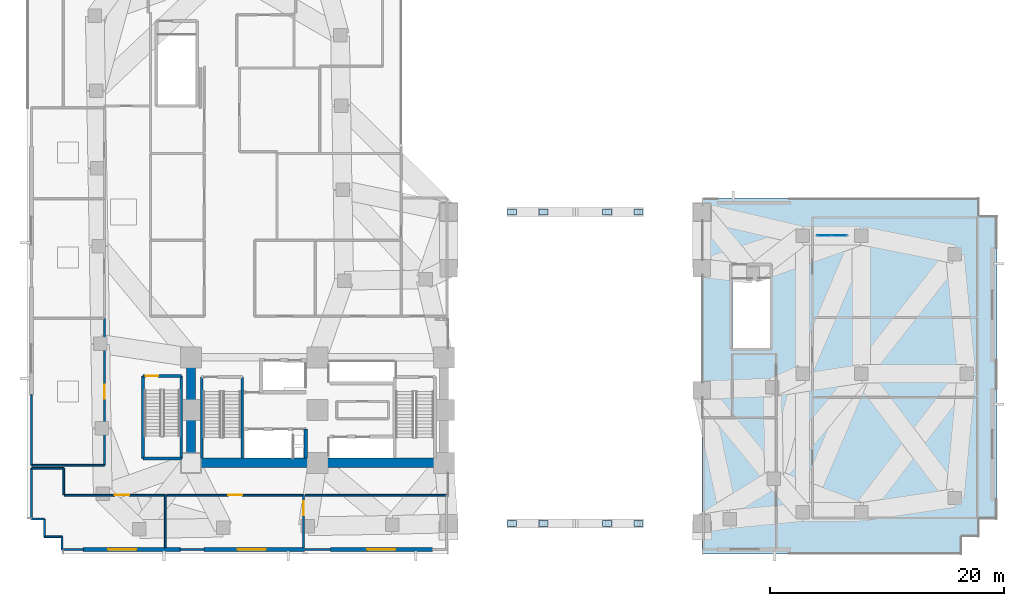
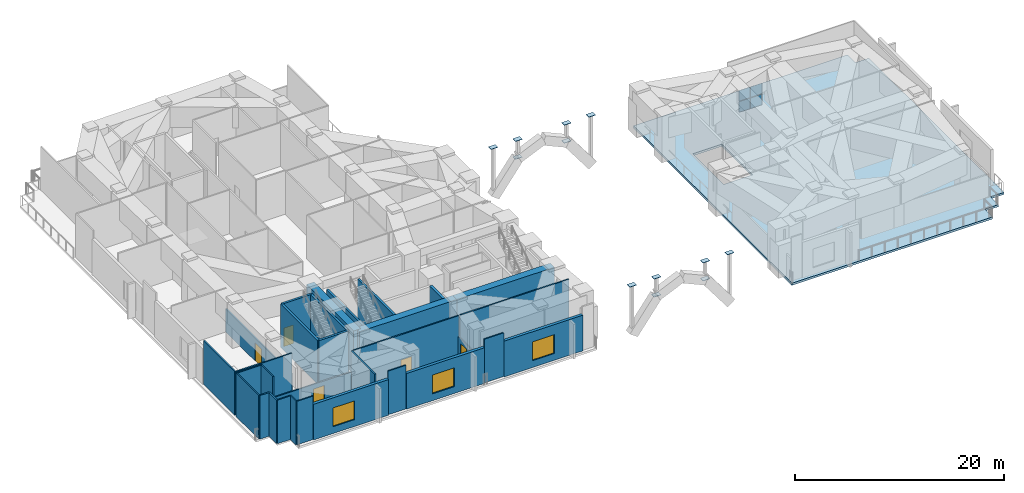
# One storey, part 6 of 15: 31 walls, 16 plates, 5 doors, 3 windows, 1 slab, 8 openings, 1 element without a shape of its own.
"""IFC4 building model written with IfcOpenShell, lengths in metres."""

from ifc_helpers import new_model, si_unit, direction, frame, frame_2d, origin, origin_2d, place, context, subcontext, project, spatial, polyline, rectangle, outline, extrude, material, layer, layer_set, type_object, element, fill, aggregate, save


model = new_model("IFC4")

# Units and contexts
model_context = context("Model", 3, precision=1e-05, world=origin(), true_north=direction((0.0, 1.0)))
body_context = subcontext(model_context, "Body", "Model", "MODEL_VIEW")
ifc_project = project(units=[si_unit("LENGTHUNIT", "METRE"), si_unit("AREAUNIT", "SQUARE_METRE"), si_unit("VOLUMEUNIT", "CUBIC_METRE"), si_unit("PLANEANGLEUNIT", "RADIAN"), si_unit("MASSUNIT", "GRAM", prefix="KILO")], contexts=[model_context])

# Site, building, storey
site_placement = place(None, origin())
site = spatial("IfcSite", under=ifc_project, at=site_placement, CompositionType="ELEMENT")
building_placement = place(site_placement, origin())
building = spatial("IfcBuilding", under=site, at=building_placement, Name="Gaonmaruhae Medical Tower", CompositionType="ELEMENT")
storey_placement = place(building_placement, frame((0.0, 0.0, 21.60009765625)))
storey = spatial("IfcBuildingStorey", under=building, at=storey_placement, Name="L04", CompositionType="ELEMENT", Elevation=21.60009765625)

# Plates
ifc_material_1 = material(Name="Steel HSA650 (650 MPa)", Category="steel")
ifc_layer_1 = layer(ifc_material_1, 0.0400390625)
ifc_layer_set_1 = layer_set([ifc_layer_1], Name="Steel HSA650 (650 MPa)")
plate_type_1 = type_object("IfcPlateType", Name="BP-P1 Column & Arch Base Bearing Plate", PredefinedType="USERDEFINED", material=ifc_layer_set_1)
for number, where, z_axis, x_axis, name in (
    (1, (41.39990234375, 2.6259765625, 3.8798828125), (0.0, 0.0, 1.0), (1.0, 0.0, 0.0), "L04 Gusset Cap Plate PLT-ARCH-S2B"),
    (2, (44.10009765625, 2.6259765625, 1.77978515625), (0.0, 0.0, 1.0), (1.0, 0.0, 0.0), "L04 Gusset Cap Plate PLT-ARCH-S3A"),
    (3, (44.10009765625, 2.6259765625, 3.8798828125), (0.0, 0.0, 1.0), (1.0, 0.0, 0.0), "L04 Gusset Cap Plate PLT-ARCH-S3B"),
    (4, (49.5, 2.6259765625, 1.77978515625), (0.0, 0.0, 1.0), (1.0, 0.0, 0.0), "L04 Gusset Cap Plate PLT-ARCH-S5A"),
    (5, (49.5, 2.6259765625, 3.8798828125), (0.0, 0.0, 1.0), (1.0, 0.0, 0.0), "L04 Gusset Cap Plate PLT-ARCH-S5B"),
    (6, (52.199951171875, 2.6259765625, 3.8798828125), (0.0, 0.0, 1.0), (1.0, 0.0, 0.0), "L04 Gusset Cap Plate PLT-ARCH-S6B"),
    (7, (41.39990234375, 29.199951171875, 3.8798828125), (0.0, 0.0, 1.0), (1.0, 0.0, 0.0), "L04 Gusset Cap Plate PLT-ARCH-N2B"),
    (8, (44.10009765625, 29.199951171875, 1.77978515625), (0.0, 0.0, 1.0), (1.0, 0.0, 0.0), "L04 Gusset Cap Plate PLT-ARCH-N3A"),
    (9, (44.10009765625, 29.199951171875, 3.8798828125), (0.0, 0.0, 1.0), (1.0, 0.0, 0.0), "L04 Gusset Cap Plate PLT-ARCH-N3B"),
    (10, (49.5, 29.199951171875, 1.77978515625), (0.0, 0.0, 1.0), (1.0, 0.0, 0.0), "L04 Gusset Cap Plate PLT-ARCH-N5A"),
    (11, (49.5, 29.199951171875, 3.8798828125), (0.0, 0.0, 1.0), (1.0, 0.0, 0.0), "L04 Gusset Cap Plate PLT-ARCH-N5B"),
    (12, (52.199951171875, 29.199951171875, 3.8798828125), (0.0, 0.0, 1.0), (1.0, 0.0, 0.0), "L04 Gusset Cap Plate PLT-ARCH-N6B"),
):
    element("IfcPlate", number, at=place(storey_placement, frame(where, z_axis=z_axis, x_axis=x_axis)), inside=storey, type_object=plate_type_1, Name=name, ObjectType="BASE_PLATE", PredefinedType="USERDEFINED", context=body_context, shape_type="SweptSolid", body=[
        extrude(rectangle(XDim=0.75, YDim=0.52001953125, at=origin_2d()), origin(), (0.0, 0.0, 1.0), 0.0400390625),
    ])

# Curtain wall, plates
ifc_material_2 = material(Name="Anodised aluminium and Low-E double glazing", Category="aluminium")
curtain_wall_type = type_object("IfcCurtainWallType", Name="CW-S6 Podium Diagnostic Atrium Curtain Wall", PredefinedType="NOTDEFINED", material=ifc_material_2)
curtain_wall_placement = place(storey_placement, origin())
curtain_wall = element("IfcCurtainWall", 13, at=curtain_wall_placement, inside=storey, type_object=curtain_wall_type, Name="L04 Curtain Wall CW-L04-S6A", PredefinedType="NOTDEFINED")
ifc_material_3 = material(Name="Low-E double solar glass", Category="glass")
ifc_layer_2 = layer(ifc_material_3, 0.028076171875)
ifc_layer_set_2 = layer_set([ifc_layer_2], Name="Low-E double solar glass")
plate_type_2 = type_object("IfcPlateType", Name="CWP-V1 Low-E Double Vision Glazing Panel", PredefinedType="CURTAIN_PANEL", material=ifc_layer_set_2)
plate_1_placement = place(storey_placement, frame((68.052734375, 27.199951171875, 0.074951171875), z_axis=(0.0, 0.0, 1.0), x_axis=(1.0, 0.0, 0.0)))
plate_1 = element("IfcPlate", 14, at=plate_1_placement, type_object=plate_type_2, Name="CW-S6 panel 1.1", PredefinedType="CURTAIN_PANEL", context=body_context, shape_type="SweptSolid", body=[
    extrude(rectangle(XDim=1.229248046875, YDim=0.028076171875, at=origin_2d()), origin(), (0.0, 0.0, 1.0), 1.22998046875),
])
plate_2_placement = place(storey_placement, frame((68.052734375, 27.199951171875, 1.3798828125), z_axis=(0.0, 0.0, 1.0), x_axis=(1.0, 0.0, 0.0)))
plate_2 = element("IfcPlate", 15, at=plate_2_placement, type_object=plate_type_2, Name="CW-S6 panel 1.2", PredefinedType="CURTAIN_PANEL", context=body_context, shape_type="SweptSolid", body=[
    extrude(rectangle(XDim=1.229248046875, YDim=0.028076171875, at=origin_2d()), origin(), (0.0, 0.0, 1.0), 1.22998046875),
])
plate_3_placement = place(storey_placement, frame((69.34716796875, 27.199951171875, 0.074951171875), z_axis=(0.0, 0.0, 1.0), x_axis=(1.0, 0.0, 0.0)))
plate_3 = element("IfcPlate", 16, at=plate_3_placement, type_object=plate_type_2, Name="CW-S6 panel 2.1", PredefinedType="CURTAIN_PANEL", context=body_context, shape_type="SweptSolid", body=[
    extrude(rectangle(XDim=1.229248046875, YDim=0.028076171875, at=origin_2d()), origin(), (0.0, 0.0, 1.0), 1.22998046875),
])
plate_4_placement = place(storey_placement, frame((69.34716796875, 27.199951171875, 1.3798828125), z_axis=(0.0, 0.0, 1.0), x_axis=(1.0, 0.0, 0.0)))
plate_4 = element("IfcPlate", 17, at=plate_4_placement, type_object=plate_type_2, Name="CW-S6 panel 2.2", PredefinedType="CURTAIN_PANEL", context=body_context, shape_type="SweptSolid", body=[
    extrude(rectangle(XDim=1.229248046875, YDim=0.028076171875, at=origin_2d()), origin(), (0.0, 0.0, 1.0), 1.22998046875),
])
aggregate(curtain_wall, [plate_1, plate_2, plate_3, plate_4])

# Slab
ifc_material_4 = material(Name="Concrete C40/50", Category="concrete")
ifc_layer_3 = layer(ifc_material_4, 0.25)
ifc_layer_set_3 = layer_set([ifc_layer_3], Name="Concrete C40/50")
slab_type = type_object("IfcSlabType", Name="FS-250 Podium & Basement Floor Slab", PredefinedType="FLOOR", material=ifc_layer_set_3)
slab_placement = place(storey_placement, frame((0.0, 0.0, -0.25)))
element("IfcSlab", 18, at=slab_placement, inside=storey, type_object=slab_type, Name="L04 Structural Slab 2", PredefinedType="FLOOR", context=body_context, shape_type="SweptSolid", body=[
    extrude(outline(polyline([(81.300048828125, 30.39990234375), (81.300048828125, 28.89990234375), (82.800048828125, 28.89990234375), (82.800048828125, 3.0), (81.300048828125, 3.0), (81.300048828125, 1.5), (79.800048828125, 1.5), (79.800048828125, 0.0), (57.60009765625, 0.0), (57.60009765625, 30.39990234375), (81.300048828125, 30.39990234375)]), holes=[polyline([(63.39990234375, 23.489990234375), (63.39990234375, 17.60009765625), (60.199951171875, 17.60009765625), (60.199951171875, 23.489990234375), (63.39990234375, 23.489990234375)])]), origin(), (0.0, 0.0, 1.0), 0.25),
])

# Walls
ifc_material_5 = material(Name="Concrete C60/75", Category="concrete")
ifc_layer_4 = layer(ifc_material_5, 0.800048828125)
ifc_layer_set_4 = layer_set([ifc_layer_4], Name="Concrete C60/75")
wall_type_1 = type_object("IfcWallType", Name="CW-800 Lower Core Shear Wall", PredefinedType="SHEAR", material=ifc_layer_set_4)
for number, where, z_axis, x_axis, name in (
    (19, (14.0, 7.800048828125, 0.0), (0.0, 0.0, 1.0), (1.0, 0.0, 0.0), "L04 Core Shear Wall CSW-S1"),
    (20, (24.800048828125, 7.800048828125, 0.0), (0.0, 0.0, 1.0), (1.0, 0.0, 0.0), "L04 Core Shear Wall CSW-S2"),
):
    element("IfcWall", number, at=place(storey_placement, frame(where, z_axis=z_axis, x_axis=x_axis)), inside=storey, type_object=wall_type_1, Name=name, PredefinedType="SHEAR", context=body_context, shape_type="SweptSolid", body=[
        extrude(rectangle(XDim=10.800048828125, YDim=0.800048828125, at=frame_2d((5.39990234375, 0.0))), origin(), (0.0, 0.0, 1.0), 5.099853515625),
    ])
wall_1_placement = place(storey_placement, frame((14.0, 16.800048828125, 0.0), z_axis=(0.0, 0.0, 1.0), x_axis=(0.0, -1.0, 0.0)))
element("IfcWall", 21, at=wall_1_placement, inside=storey, type_object=wall_type_1, Name="L04 Core Shear Wall CSW-W1", PredefinedType="SHEAR", context=body_context, shape_type="SweptSolid", body=[
    extrude(rectangle(XDim=9.0, YDim=0.800048828125, at=frame_2d((4.5, 0.0))), origin(), (0.0, 0.0, 1.0), 5.099853515625),
])

# Wall, opening, window
ifc_material_6 = material(Name="Precast concrete C45/55", Category="concrete")
ifc_layer_5 = layer(ifc_material_6, 0.320068359375)
ifc_layer_set_5 = layer_set([ifc_layer_5], Name="Precast concrete C45/55")
wall_type_2 = type_object("IfcWallType", Name="EW-320 Lower Precast Masonry-Frame Facade Wall", PredefinedType="SOLIDWALL", material=ifc_layer_set_5)
wall_2_placement = place(storey_placement, frame((13.10009765625, 0.39990234375, 0.0), z_axis=(0.0, 0.0, 1.0), x_axis=(-1.0, 0.0, 0.0)))
wall_2 = element("IfcWall", 22, at=wall_2_placement, inside=storey, type_object=wall_type_2, Name="L04 Precast Facade Wall PB-S1", PredefinedType="SOLIDWALL", context=body_context, shape_type="SweptSolid", body=[
    extrude(rectangle(XDim=8.300048828125, YDim=0.320068359375, at=frame_2d((4.14990234375, 0.0))), origin(), (0.0, 0.0, 1.0), 4.179931640625),
])
opening_1_placement = place(wall_2_placement, frame((3.764892578125, 0.0, 0.800048828125)))
opening_1 = element("IfcOpeningElement", 23, at=opening_1_placement, cuts=wall_2, Name="Opening WN-06", PredefinedType="OPENING", context=body_context, shape_type="SweptSolid", body=[
    extrude(rectangle(XDim=2.39990234375, YDim=2.199951171875, at=frame_2d((1.199951171875, 1.10009765625))), frame((0.0, 0.169921875, 0.0), z_axis=(0.0, -1.0, 0.0), x_axis=(1.0, 0.0, 0.0)), (0.0, 0.0, 1.0), 0.340087890625),
])
window_type = type_object("IfcWindowType", Name="WN-06 Podium Diagnostic Punched Window 2400x2200", PartitioningType="SINGLE_PANEL", PredefinedType="WINDOW", material=ifc_material_2)
window_1_placement = place(opening_1_placement, origin())
window_1 = element("IfcWindow", 24, at=window_1_placement, inside=storey, type_object=window_type, Name="L04 Podium Punched Window PB-S1", OverallHeight=2.199951171875, OverallWidth=2.39990234375, PartitioningType="SINGLE_PANEL", PredefinedType="WINDOW", context=body_context, shape_type="SweptSolid", body=[
    extrude(rectangle(XDim=2.39990234375, YDim=2.199951171875, at=frame_2d((1.199951171875, 1.10009765625))), frame((0.0, 0.030029296875, 0.0), z_axis=(0.0, -1.0, 0.0), x_axis=(1.0, 0.0, 0.0)), (0.0, 0.0, 1.0), 0.06005859375),
])
fill(opening_1, window_1)

wall_3_placement = place(storey_placement, frame((23.699951171875, 0.39990234375, 0.0), z_axis=(0.0, 0.0, 1.0), x_axis=(-1.0, 0.0, 0.0)))
wall_3 = element("IfcWall", 25, at=wall_3_placement, inside=storey, type_object=wall_type_2, Name="L04 Precast Facade Wall PB-S2", PredefinedType="SOLIDWALL", context=body_context, shape_type="SweptSolid", body=[
    extrude(rectangle(XDim=8.599853515625, YDim=0.320068359375, at=frame_2d((4.2998046875, 0.0))), origin(), (0.0, 0.0, 1.0), 4.179931640625),
])
opening_2_placement = place(wall_3_placement, frame((3.31494140625, 0.0, 0.800048828125)))
opening_2 = element("IfcOpeningElement", 26, at=opening_2_placement, cuts=wall_3, Name="Opening WN-06", PredefinedType="OPENING", context=body_context, shape_type="SweptSolid", body=[
    extrude(rectangle(XDim=2.39990234375, YDim=2.199951171875, at=frame_2d((1.199951171875, 1.10009765625))), frame((0.0, 0.169921875, 0.0), z_axis=(0.0, -1.0, 0.0), x_axis=(1.0, 0.0, 0.0)), (0.0, 0.0, 1.0), 0.340087890625),
])
window_2_placement = place(opening_2_placement, origin())
window_2 = element("IfcWindow", 27, at=window_2_placement, inside=storey, type_object=window_type, Name="L04 Podium Punched Window PB-S2", OverallHeight=2.199951171875, OverallWidth=2.39990234375, PartitioningType="SINGLE_PANEL", PredefinedType="WINDOW", context=body_context, shape_type="SweptSolid", body=[
    extrude(rectangle(XDim=2.39990234375, YDim=2.199951171875, at=frame_2d((1.199951171875, 1.10009765625))), frame((0.0, 0.030029296875, 0.0), z_axis=(0.0, -1.0, 0.0), x_axis=(1.0, 0.0, 0.0)), (0.0, 0.0, 1.0), 0.06005859375),
])
fill(opening_2, window_2)

wall_4_placement = place(storey_placement, frame((34.60009765625, 0.39990234375, 0.0), z_axis=(0.0, 0.0, 1.0), x_axis=(-1.0, 0.0, 0.0)))
wall_4 = element("IfcWall", 28, at=wall_4_placement, inside=storey, type_object=wall_type_2, Name="L04 Precast Facade Wall PB-S3", PredefinedType="SOLIDWALL", context=body_context, shape_type="SweptSolid", body=[
    extrude(rectangle(XDim=8.7001953125, YDim=0.320068359375, at=frame_2d((4.35009765625, 0.0))), origin(), (0.0, 0.0, 1.0), 4.179931640625),
])
opening_3_placement = place(wall_4_placement, frame((3.14990234375, 0.0, 0.800048828125)))
opening_3 = element("IfcOpeningElement", 29, at=opening_3_placement, cuts=wall_4, Name="Opening WN-06", PredefinedType="OPENING", context=body_context, shape_type="SweptSolid", body=[
    extrude(rectangle(XDim=2.39990234375, YDim=2.199951171875, at=frame_2d((1.199951171875, 1.10009765625))), frame((0.0, 0.169921875, 0.0), z_axis=(0.0, -1.0, 0.0), x_axis=(1.0, 0.0, 0.0)), (0.0, 0.0, 1.0), 0.340087890625),
])
window_3_placement = place(opening_3_placement, origin())
window_3 = element("IfcWindow", 30, at=window_3_placement, inside=storey, type_object=window_type, Name="L04 Podium Punched Window PB-S3", OverallHeight=2.199951171875, OverallWidth=2.39990234375, PartitioningType="SINGLE_PANEL", PredefinedType="WINDOW", context=body_context, shape_type="SweptSolid", body=[
    extrude(rectangle(XDim=2.39990234375, YDim=2.199951171875, at=frame_2d((1.199951171875, 1.10009765625))), frame((0.0, 0.030029296875, 0.0), z_axis=(0.0, -1.0, 0.0), x_axis=(1.0, 0.0, 0.0)), (0.0, 0.0, 1.0), 0.06005859375),
])
fill(opening_3, window_3)

# Wall, opening, door
ifc_material_7 = material(Name="Gypsum board partition", Category="gypsum")
ifc_layer_6 = layer(ifc_material_7, 0.14990234375)
ifc_layer_set_6 = layer_set([ifc_layer_6], Name="Gypsum board partition")
wall_type_3 = type_object("IfcWallType", Name="PW-150 Rated Clinical Corridor Partition", PredefinedType="PARTITIONING", material=ifc_layer_set_6)
wall_5_placement = place(storey_placement, frame((6.6201171875, 20.14990234375, 0.0), z_axis=(0.0, 0.0, 1.0), x_axis=(0.0, -1.0, 0.0)))
wall_5 = element("IfcWall", 31, at=wall_5_placement, inside=storey, type_object=wall_type_3, Name="L04 Interior Partition L04-WP1-6", PredefinedType="PARTITIONING", context=body_context, shape_type="SweptSolid", body=[
    extrude(rectangle(XDim=12.5498046875, YDim=0.14990234375, at=frame_2d((6.27490234375, 0.0))), origin(), (0.0, 0.0, 1.0), 2.684814453125),
])
opening_4_placement = place(wall_5_placement, frame((5.675048828125, 0.0, 0.0)))
opening_4 = element("IfcOpeningElement", 32, at=opening_4_placement, cuts=wall_5, Name="Opening CD-02", PredefinedType="OPENING", context=body_context, shape_type="SweptSolid", body=[
    extrude(rectangle(XDim=1.199951171875, YDim=2.14990234375, at=frame_2d((0.60009765625, 1.074951171875))), frame((0.0, 0.0849609375, 0.0), z_axis=(0.0, -1.0, 0.0), x_axis=(1.0, 0.0, 0.0)), (0.0, 0.0, 1.0), 0.169921875),
])
ifc_material_8 = material(Name="Antimicrobial laminate timber fire door", Category="wood")
door_type_1 = type_object("IfcDoorType", Name="CD-02 Clinical Treatment & Procedure Door 1200x2150", OperationType="NOTDEFINED", PredefinedType="DOOR", material=ifc_material_8)
door_1_placement = place(opening_4_placement, origin())
door_1 = element("IfcDoor", 33, at=door_1_placement, inside=storey, type_object=door_type_1, Name="L04 L04 Outpatient Consultation Clinic A Door", OperationType="SINGLE_SWING_LEFT", OverallHeight=2.14990234375, OverallWidth=1.199951171875, PredefinedType="DOOR", context=body_context, shape_type="SweptSolid", body=[
    extrude(rectangle(XDim=1.199951171875, YDim=2.14990234375, at=frame_2d((0.60009765625, 1.074951171875))), frame((0.0, 0.02490234375, 0.0), z_axis=(0.0, -1.0, 0.0), x_axis=(1.0, 0.0, 0.0)), (0.0, 0.0, 1.0), 0.050048828125),
])
fill(opening_4, door_1)

# Walls
wall_6_placement = place(storey_placement, frame((6.6201171875, 7.60009765625, 0.0), z_axis=(0.0, 0.0, 1.0), x_axis=(-1.0, 0.0, 0.0)))
element("IfcWall", 34, at=wall_6_placement, inside=storey, type_object=wall_type_3, Name="L04 Interior Partition L04-WP1-7", PredefinedType="PARTITIONING", context=body_context, shape_type="SweptSolid", body=[
    extrude(rectangle(XDim=6.22021484375, YDim=0.14990234375, at=frame_2d((3.110107421875, 0.0))), origin(), (0.0, 0.0, 1.0), 5.099853515625),
])
wall_7_placement = place(storey_placement, frame((0.39990234375, 7.60009765625, 0.0), z_axis=(0.0, 0.0, 1.0), x_axis=(0.0, 1.0, 0.0)))
element("IfcWall", 35, at=wall_7_placement, inside=storey, type_object=wall_type_3, Name="L04 Interior Partition L04-WP1-8", PredefinedType="PARTITIONING", context=body_context, shape_type="SweptSolid", body=[
    extrude(rectangle(XDim=6.0, YDim=0.14990234375, at=frame_2d((3.0, 0.0))), origin(), (0.0, 0.0, 1.0), 5.099853515625),
])

# Wall, opening, door
wall_8_placement = place(storey_placement, frame((3.199951171875, 5.0400390625, 0.0), z_axis=(0.0, 0.0, 1.0), x_axis=(1.0, 0.0, 0.0)))
wall_8 = element("IfcWall", 36, at=wall_8_placement, inside=storey, type_object=wall_type_3, Name="L04 Interior Partition L04-S1-37", PredefinedType="PARTITIONING", context=body_context, shape_type="SweptSolid", body=[
    extrude(rectangle(XDim=8.60009765625, YDim=0.14990234375, at=frame_2d((4.300048828125, 0.0))), origin(), (0.0, 0.0, 1.0), 2.684814453125),
])
opening_5_placement = place(wall_8_placement, frame((4.315673828125, 0.0, 0.0)))
opening_5 = element("IfcOpeningElement", 37, at=opening_5_placement, cuts=wall_8, Name="Opening CD-02", PredefinedType="OPENING", context=body_context, shape_type="SweptSolid", body=[
    extrude(rectangle(XDim=1.199951171875, YDim=2.14990234375, at=frame_2d((0.60009765625, 1.074951171875))), frame((0.0, 0.0849609375, 0.0), z_axis=(0.0, -1.0, 0.0), x_axis=(1.0, 0.0, 0.0)), (0.0, 0.0, 1.0), 0.169921875),
])
door_2_placement = place(opening_5_placement, origin())
door_2 = element("IfcDoor", 38, at=door_2_placement, inside=storey, type_object=door_type_1, Name="L04 Surgical Operating Room Door", OperationType="SINGLE_SWING_RIGHT", OverallHeight=2.14990234375, OverallWidth=1.199951171875, PredefinedType="DOOR", context=body_context, shape_type="SweptSolid", body=[
    extrude(rectangle(XDim=1.199951171875, YDim=2.14990234375, at=frame_2d((0.60009765625, 1.074951171875))), frame((0.0, 0.02490234375, 0.0), z_axis=(0.0, -1.0, 0.0), x_axis=(1.0, 0.0, 0.0)), (0.0, 0.0, 1.0), 0.050048828125),
])
fill(opening_5, door_2)

# Walls
wall_9_placement = place(storey_placement, frame((11.800048828125, 5.0400390625, 0.0), z_axis=(0.0, 0.0, 1.0), x_axis=(0.0, -1.0, 0.0)))
element("IfcWall", 39, at=wall_9_placement, inside=storey, type_object=wall_type_3, Name="L04 Interior Partition L04-S1-38", PredefinedType="PARTITIONING", context=body_context, shape_type="SweptSolid", body=[
    extrude(rectangle(XDim=4.505126953125, YDim=0.14990234375, at=frame_2d((2.25244140625, 0.0))), origin(), (0.0, 0.0, 1.0), 5.099853515625),
])
wall_10_placement = place(storey_placement, frame((4.800048828125, 0.39990234375, 0.0), z_axis=(0.0, 0.0, 1.0), x_axis=(-1.0, 0.0, 0.0)))
element("IfcWall", 40, at=wall_10_placement, inside=storey, type_object=wall_type_3, Name="L04 Interior Partition L04-S1-39", PredefinedType="PARTITIONING", context=body_context, shape_type="SweptSolid", body=[
    extrude(rectangle(XDim=1.800048828125, YDim=0.14990234375, at=frame_2d((0.89990234375, 0.0))), origin(), (0.0, 0.0, 1.0), 5.099853515625),
])
wall_11_placement = place(storey_placement, frame((3.0, 0.39990234375, 0.0), z_axis=(0.0, 0.0, 1.0), x_axis=(0.0, 1.0, 0.0)))
element("IfcWall", 41, at=wall_11_placement, inside=storey, type_object=wall_type_3, Name="L04 Interior Partition L04-S1-40", PredefinedType="PARTITIONING", context=body_context, shape_type="SweptSolid", body=[
    extrude(rectangle(XDim=1.10009765625, YDim=0.14990234375, at=frame_2d((0.550048828125, 0.0))), origin(), (0.0, 0.0, 1.0), 5.099853515625),
])
for number, where, z_axis, x_axis, name in (
    (42, (3.0, 1.5, 0.0), (0.0, 0.0, 1.0), (-1.0, 0.0, 0.0), "L04 Interior Partition L04-S1-41"),
    (43, (1.5, 1.5, 0.0), (0.0, 0.0, 1.0), (0.0, 1.0, 0.0), "L04 Interior Partition L04-S1-42"),
):
    element("IfcWall", number, at=place(storey_placement, frame(where, z_axis=z_axis, x_axis=x_axis)), inside=storey, type_object=wall_type_3, Name=name, PredefinedType="PARTITIONING", context=body_context, shape_type="SweptSolid", body=[
        extrude(rectangle(XDim=1.5, YDim=0.14990234375, at=frame_2d((0.75, 0.0))), origin(), (0.0, 0.0, 1.0), 5.099853515625),
    ])
wall_12_placement = place(storey_placement, frame((1.5, 3.0, 0.0), z_axis=(0.0, 0.0, 1.0), x_axis=(-1.0, 0.0, 0.0)))
element("IfcWall", 44, at=wall_12_placement, inside=storey, type_object=wall_type_3, Name="L04 Interior Partition L04-S1-43", PredefinedType="PARTITIONING", context=body_context, shape_type="SweptSolid", body=[
    extrude(rectangle(XDim=1.10009765625, YDim=0.14990234375, at=frame_2d((0.550048828125, 0.0))), origin(), (0.0, 0.0, 1.0), 5.099853515625),
])
wall_13_placement = place(storey_placement, frame((0.39990234375, 3.0, 0.0), z_axis=(0.0, 0.0, 1.0), x_axis=(0.0, 1.0, 0.0)))
element("IfcWall", 45, at=wall_13_placement, inside=storey, type_object=wall_type_3, Name="L04 Interior Partition L04-S1-44", PredefinedType="PARTITIONING", context=body_context, shape_type="SweptSolid", body=[
    extrude(rectangle(XDim=4.35009765625, YDim=0.14990234375, at=frame_2d((2.175048828125, 0.0))), origin(), (0.0, 0.0, 1.0), 5.099853515625),
])
wall_14_placement = place(storey_placement, frame((0.39990234375, 7.35009765625, 0.0), z_axis=(0.0, 0.0, 1.0), x_axis=(1.0, 0.0, 0.0)))
element("IfcWall", 46, at=wall_14_placement, inside=storey, type_object=wall_type_3, Name="L04 Interior Partition L04-S1-45", PredefinedType="PARTITIONING", context=body_context, shape_type="SweptSolid", body=[
    extrude(rectangle(XDim=2.739990234375, YDim=0.14990234375, at=frame_2d((1.3701171875, 0.0))), origin(), (0.0, 0.0, 1.0), 5.099853515625),
])
wall_15_placement = place(storey_placement, frame((3.139892578125, 7.35009765625, 0.0), z_axis=(0.0, 0.0, 1.0), x_axis=(0.0, -1.0, 0.0)))
element("IfcWall", 47, at=wall_15_placement, inside=storey, type_object=wall_type_3, Name="L04 Interior Partition L04-S1-46", PredefinedType="PARTITIONING", context=body_context, shape_type="SweptSolid", body=[
    extrude(rectangle(XDim=2.256103515625, YDim=0.14990234375, at=frame_2d((1.1279296875, 0.0))), origin(), (0.0, 0.0, 1.0), 5.099853515625),
])
wall_16_placement = place(storey_placement, frame((15.10009765625, 0.39990234375, 0.0), z_axis=(0.0, 0.0, 1.0), x_axis=(-1.0, 0.0, 0.0)))
element("IfcWall", 48, at=wall_16_placement, inside=storey, type_object=wall_type_3, Name="L04 Interior Partition L04-S2-47", PredefinedType="PARTITIONING", context=body_context, shape_type="SweptSolid", body=[
    extrude(rectangle(XDim=2.0, YDim=0.14990234375, at=frame_2d((1.0, 0.0))), origin(), (0.0, 0.0, 1.0), 5.099853515625),
])

# Wall, opening, door
wall_17_placement = place(storey_placement, frame((11.949951171875, 5.0400390625, 0.0), z_axis=(0.0, 0.0, 1.0), x_axis=(1.0, 0.0, 0.0)))
wall_17 = element("IfcWall", 49, at=wall_17_placement, inside=storey, type_object=wall_type_3, Name="L04 Interior Partition L04-S2-48", PredefinedType="PARTITIONING", context=body_context, shape_type="SweptSolid", body=[
    extrude(rectangle(XDim=11.650146484375, YDim=0.14990234375, at=frame_2d((5.8251953125, 0.0))), origin(), (0.0, 0.0, 1.0), 5.099853515625),
])
opening_6_placement = place(wall_17_placement, frame((5.22509765625, 0.0, 0.0)))
opening_6 = element("IfcOpeningElement", 50, at=opening_6_placement, cuts=wall_17, Name="Opening CD-02", PredefinedType="OPENING", context=body_context, shape_type="SweptSolid", body=[
    extrude(rectangle(XDim=1.199951171875, YDim=2.14990234375, at=frame_2d((0.60009765625, 1.074951171875))), frame((0.0, 0.0849609375, 0.0), z_axis=(0.0, -1.0, 0.0), x_axis=(1.0, 0.0, 0.0)), (0.0, 0.0, 1.0), 0.169921875),
])
door_3_placement = place(opening_6_placement, origin())
door_3 = element("IfcDoor", 51, at=door_3_placement, inside=storey, type_object=door_type_1, Name="L04 Endovascular Hybrid Operating Room Door", OperationType="SINGLE_SWING_LEFT", OverallHeight=2.14990234375, OverallWidth=1.199951171875, PredefinedType="DOOR", context=body_context, shape_type="SweptSolid", body=[
    extrude(rectangle(XDim=1.199951171875, YDim=2.14990234375, at=frame_2d((0.60009765625, 1.074951171875))), frame((0.0, 0.02490234375, 0.0), z_axis=(0.0, -1.0, 0.0), x_axis=(1.0, 0.0, 0.0)), (0.0, 0.0, 1.0), 0.050048828125),
])
fill(opening_6, door_3)

wall_18_placement = place(storey_placement, frame((23.60009765625, 5.0400390625, 0.0), z_axis=(0.0, 0.0, 1.0), x_axis=(0.0, -1.0, 0.0)))
wall_18 = element("IfcWall", 52, at=wall_18_placement, inside=storey, type_object=wall_type_3, Name="L04 Interior Partition L04-S2-49", PredefinedType="PARTITIONING", context=body_context, shape_type="SweptSolid", body=[
    extrude(rectangle(XDim=4.505126953125, YDim=0.14990234375, at=frame_2d((2.25244140625, 0.0))), origin(), (0.0, 0.0, 1.0), 2.684814453125),
])
opening_7_placement = place(wall_18_placement, frame((0.49951171875, 0.0, 0.0)))
opening_7 = element("IfcOpeningElement", 53, at=opening_7_placement, cuts=wall_18, Name="Opening CD-02", PredefinedType="OPENING", context=body_context, shape_type="SweptSolid", body=[
    extrude(rectangle(XDim=1.199951171875, YDim=2.14990234375, at=frame_2d((0.60009765625, 1.074951171875))), frame((0.0, 0.0849609375, 0.0), z_axis=(0.0, -1.0, 0.0), x_axis=(1.0, 0.0, 0.0)), (0.0, 0.0, 1.0), 0.169921875),
])
door_4_placement = place(opening_7_placement, origin())
door_4 = element("IfcDoor", 54, at=door_4_placement, inside=storey, type_object=door_type_1, Name="L04 Robotic Surgery Operating Room Sliding Door", OperationType="SLIDING_TO_LEFT", OverallHeight=2.14990234375, OverallWidth=1.199951171875, PredefinedType="DOOR", context=body_context, shape_type="SweptSolid", body=[
    extrude(rectangle(XDim=1.199951171875, YDim=2.14990234375, at=frame_2d((0.60009765625, 1.074951171875))), frame((0.0, 0.02490234375, 0.0), z_axis=(0.0, -1.0, 0.0), x_axis=(1.0, 0.0, 0.0)), (0.0, 0.0, 1.0), 0.050048828125),
])
fill(opening_7, door_4)

# Walls
wall_19_placement = place(storey_placement, frame((25.89990234375, 0.39990234375, 0.0), z_axis=(0.0, 0.0, 1.0), x_axis=(-1.0, 0.0, 0.0)))
element("IfcWall", 55, at=wall_19_placement, inside=storey, type_object=wall_type_3, Name="L04 Interior Partition L04-S3-51", PredefinedType="PARTITIONING", context=body_context, shape_type="SweptSolid", body=[
    extrude(rectangle(XDim=2.14990234375, YDim=0.14990234375, at=frame_2d((1.074951171875, 0.0))), origin(), (0.0, 0.0, 1.0), 5.099853515625),
])
wall_20_placement = place(storey_placement, frame((23.75, 5.0400390625, 0.0), z_axis=(0.0, 0.0, 1.0), x_axis=(1.0, 0.0, 0.0)))
element("IfcWall", 56, at=wall_20_placement, inside=storey, type_object=wall_type_3, Name="L04 Interior Partition L04-S3-52", PredefinedType="PARTITIONING", context=body_context, shape_type="SweptSolid", body=[
    extrude(rectangle(XDim=12.050048828125, YDim=0.14990234375, at=frame_2d((6.02490234375, 0.0))), origin(), (0.0, 0.0, 1.0), 5.099853515625),
])
ifc_material_9 = material(Name="Concrete C50/60", Category="concrete")
ifc_layer_7 = layer(ifc_material_9, 0.239990234375)
ifc_layer_set_7 = layer_set([ifc_layer_7], Name="Concrete C50/60")
wall_type_4 = type_object("IfcWallType", Name="SW-240 Dogleg Stair Tight Shaft Wall", PredefinedType="SOLIDWALL", material=ifc_layer_set_7)
for number, where, z_axis, x_axis, name in (
    (57, (18.3798828125, 15.1201171875, 0.0), (0.0, 0.0, 1.0), (0.0, -1.0, 0.0), "L04 ST-01 Stair Shaft Wall SHW-ST-01-E"),
    (58, (14.919921875, 8.199951171875, 0.0), (0.0, 0.0, 1.0), (0.0, 1.0, 0.0), "L04 ST-01 Stair Shaft Wall SHW-ST-01-W"),
):
    element("IfcWall", number, at=place(storey_placement, frame(where, z_axis=z_axis, x_axis=x_axis)), inside=storey, type_object=wall_type_4, Name=name, PredefinedType="SOLIDWALL", context=body_context, shape_type="SweptSolid", body=[
        extrude(rectangle(XDim=6.920166015625, YDim=0.239990234375, at=frame_2d((3.4599609375, 0.0))), origin(), (0.0, 0.0, 1.0), 5.099853515625),
    ])

# Wall, opening, door
wall_21_placement = place(storey_placement, frame((9.919921875, 15.219970703125, 0.0), z_axis=(0.0, 0.0, 1.0), x_axis=(1.0, 0.0, 0.0)))
wall_21 = element("IfcWall", 59, at=wall_21_placement, inside=storey, type_object=wall_type_4, Name="L04 ST-03 Stair Shaft Wall SHW-ST-03-N", PredefinedType="SOLIDWALL", context=body_context, shape_type="SweptSolid", body=[
    extrude(rectangle(XDim=3.260009765625, YDim=0.239990234375, at=frame_2d((1.6298828125, 0.0))), origin(), (0.0, 0.0, 1.0), 5.099853515625),
])
opening_8_placement = place(wall_21_placement, frame((0.219970703125, 0.0, 0.0)))
opening_8 = element("IfcOpeningElement", 60, at=opening_8_placement, cuts=wall_21, Name="Opening FD-02", PredefinedType="OPENING", context=body_context, shape_type="SweptSolid", body=[
    extrude(rectangle(XDim=1.050048828125, YDim=2.14990234375, at=frame_2d((0.52490234375, 1.074951171875))), frame((0.0, 0.1298828125, 0.0), z_axis=(0.0, -1.0, 0.0), x_axis=(1.0, 0.0, 0.0)), (0.0, 0.0, 1.0), 0.260009765625),
])
ifc_material_10 = material(Name="Powder-coated steel fire door", Category="steel")
door_type_2 = type_object("IfcDoorType", Name="FD-02 Secondary Stair Fire Door 1050x2150", OperationType="NOTDEFINED", PredefinedType="DOOR", material=ifc_material_10)
door_5_placement = place(opening_8_placement, origin())
door_5 = element("IfcDoor", 61, at=door_5_placement, inside=storey, type_object=door_type_2, Name="L04 ST-03 Protected Escape Stair Door", OperationType="SINGLE_SWING_LEFT", OverallHeight=2.14990234375, OverallWidth=1.050048828125, PredefinedType="DOOR", context=body_context, shape_type="SweptSolid", body=[
    extrude(rectangle(XDim=1.050048828125, YDim=2.14990234375, at=frame_2d((0.52490234375, 1.074951171875))), frame((0.0, 0.02490234375, 0.0), z_axis=(0.0, -1.0, 0.0), x_axis=(1.0, 0.0, 0.0)), (0.0, 0.0, 1.0), 0.050048828125),
])
fill(opening_8, door_5)

# Walls
wall_22_placement = place(storey_placement, frame((13.179931640625, 15.219970703125, 0.0), z_axis=(0.0, 0.0, 1.0), x_axis=(0.0, -1.0, 0.0)))
element("IfcWall", 62, at=wall_22_placement, inside=storey, type_object=wall_type_4, Name="L04 ST-03 Stair Shaft Wall SHW-ST-03-E", PredefinedType="SOLIDWALL", context=body_context, shape_type="SweptSolid", body=[
    extrude(rectangle(XDim=7.050048828125, YDim=0.239990234375, at=frame_2d((3.52490234375, 0.0))), origin(), (0.0, 0.0, 1.0), 5.099853515625),
])
wall_23_placement = place(storey_placement, frame((13.179931640625, 8.169921875, 0.0), z_axis=(0.0, 0.0, 1.0), x_axis=(-1.0, 0.0, 0.0)))
element("IfcWall", 63, at=wall_23_placement, inside=storey, type_object=wall_type_4, Name="L04 ST-03 Stair Shaft Wall SHW-ST-03-S", PredefinedType="SOLIDWALL", context=body_context, shape_type="SweptSolid", body=[
    extrude(rectangle(XDim=3.260009765625, YDim=0.239990234375, at=frame_2d((1.6298828125, 0.0))), origin(), (0.0, 0.0, 1.0), 5.099853515625),
])
wall_24_placement = place(storey_placement, frame((9.919921875, 8.169921875, 0.0), z_axis=(0.0, 0.0, 1.0), x_axis=(0.0, 1.0, 0.0)))
element("IfcWall", 64, at=wall_24_placement, inside=storey, type_object=wall_type_4, Name="L04 ST-03 Stair Shaft Wall SHW-ST-03-W", PredefinedType="SOLIDWALL", context=body_context, shape_type="SweptSolid", body=[
    extrude(rectangle(XDim=7.050048828125, YDim=0.239990234375, at=frame_2d((3.52490234375, 0.0))), origin(), (0.0, 0.0, 1.0), 5.099853515625),
])
ifc_layer_8 = layer(ifc_material_9, 0.300048828125)
ifc_layer_set_8 = layer_set([ifc_layer_8], Name="Concrete C50/60")
wall_type_5 = type_object("IfcWallType", Name="SW-300 Stair & Lift Hoistway Shaft Wall", PredefinedType="SOLIDWALL", material=ifc_layer_set_8)
wall_25_placement = place(storey_placement, frame((23.800048828125, 8.199951171875, 0.0), z_axis=(0.0, 0.0, 1.0), x_axis=(0.0, 1.0, 0.0)))
element("IfcWall", 65, at=wall_25_placement, inside=storey, type_object=wall_type_5, Name="L04 Shaft Enclosure Wall SHW-FFE", PredefinedType="SOLIDWALL", context=body_context, shape_type="SweptSolid", body=[
    extrude(rectangle(XDim=2.47998046875, YDim=0.300048828125, at=frame_2d((1.239990234375, 0.0))), origin(), (0.0, 0.0, 1.0), 5.099853515625),
])

save(model, "model.ifc")
